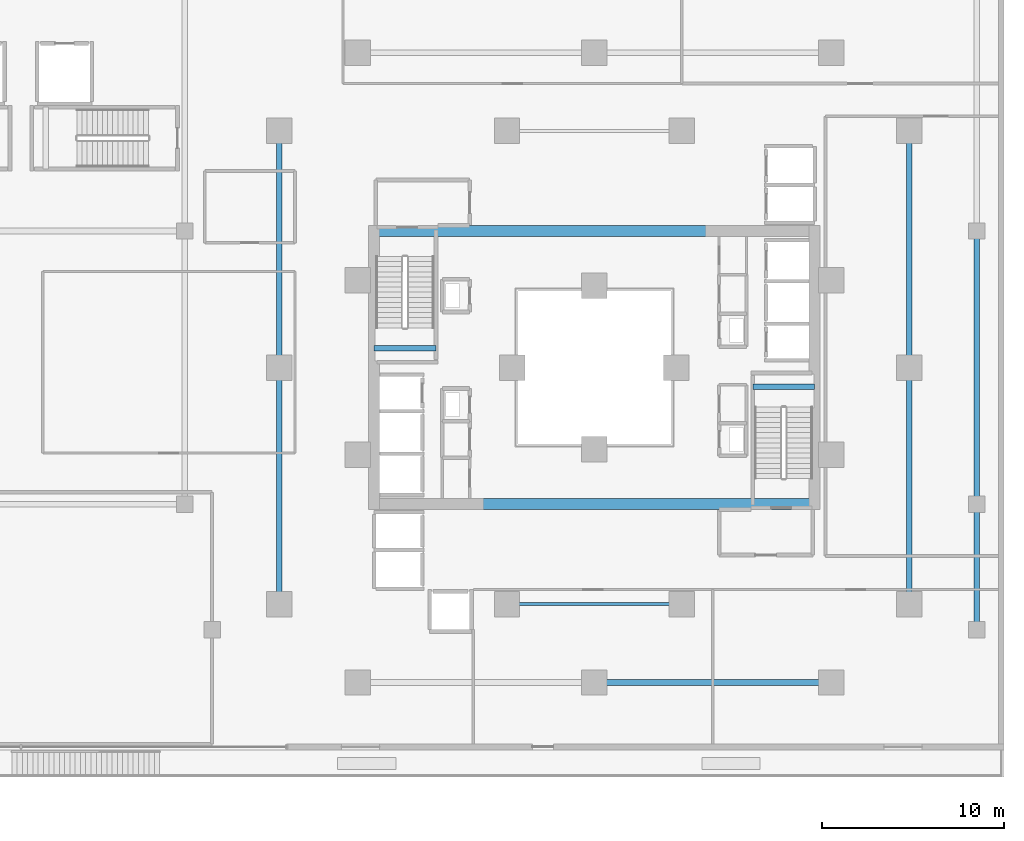
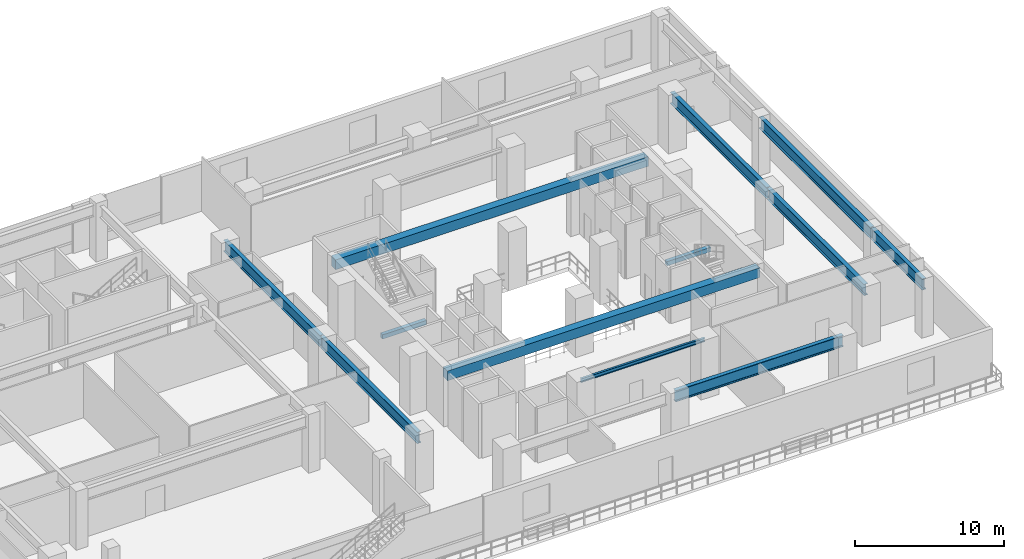
# One storey, part 8 of 22: 12 beams.
"""IFC4 building model written with IfcOpenShell, lengths in metres."""

from ifc_helpers import new_model, si_unit, direction, frame, origin, origin_2d, place, context, subcontext, project, spatial, rectangle, i_section, extrude, material, material_profile, profile_set, type_object, element, save


model = new_model("IFC4")

# Units and contexts
model_context = context("Model", 3, precision=1e-05, world=origin(), true_north=direction((0.0, 1.0)))
body_context = subcontext(model_context, "Body", "Model", "MODEL_VIEW")
ifc_project = project(units=[si_unit("LENGTHUNIT", "METRE"), si_unit("AREAUNIT", "SQUARE_METRE"), si_unit("VOLUMEUNIT", "CUBIC_METRE"), si_unit("PLANEANGLEUNIT", "RADIAN"), si_unit("MASSUNIT", "GRAM", prefix="KILO")], contexts=[model_context])

# Site, building, storey
site_placement = place(None, origin())
site = spatial("IfcSite", under=ifc_project, at=site_placement, CompositionType="ELEMENT")
building_placement = place(site_placement, origin())
building = spatial("IfcBuilding", under=site, at=building_placement, Name="Thornwick Lancets Civic Towers", CompositionType="ELEMENT")
storey_placement = place(building_placement, frame((0.0, 0.0, 4.800048828125)))
storey = spatial("IfcBuildingStorey", under=building, at=storey_placement, Name="L01", CompositionType="ELEMENT", Elevation=4.800048828125)

# Beams
ifc_material_1 = material(Name="Concrete C60/75", Category="concrete")
ifc_material_profile_1 = material_profile(ifc_material_1, rectangle(XDim=0.60009765625, YDim=0.800048828125, at=origin_2d()), Name="RC 600x800")
ifc_profile_set_1 = profile_set([ifc_material_profile_1], Name="Concrete C60/75")
beam_type_1 = type_object("IfcBeamType", Name="BM_COUP_RC800", PredefinedType="BEAM", material=ifc_profile_set_1)
for number, where, z_axis, x_axis, name in (
    (1, (76.39990234375, 34.5, 4.079833984375), (1.0, 0.0, 0.0), (0.0, 1.0, 0.0), "CB-L01-B1"),
    (2, (76.39990234375, 19.5, 4.079833984375), (1.0, 0.0, 0.0), (0.0, 1.0, 0.0), "CB-L01-B2"),
):
    element("IfcBeam", number, at=place(storey_placement, frame(where, z_axis=z_axis, x_axis=x_axis)), inside=storey, type_object=beam_type_1, Name=name, PredefinedType="BEAM", context=body_context, shape_type="SweptSolid", body=[
        extrude(rectangle(XDim=0.60009765625, YDim=0.800048828125, at=origin_2d()), origin(), (0.0, 0.0, 1.0), 24.2001953125),
    ])
ifc_material_2 = material(Name="Steel S355JR", Category="steel")
ifc_material_profile_2 = material_profile(ifc_material_2, i_section(OverallWidth=0.1669921875, OverallDepth=0.310302734375, WebThickness=0.0078125, FlangeThickness=0.013671875, FilletRadius=0.0087890625, at=origin_2d()), Name="UKB 305x165x54")
ifc_profile_set_2 = profile_set([ifc_material_profile_2], Name="Steel S355JR")
beam_type_2 = type_object("IfcBeamType", Name="BM_LINTEL_305_54", PredefinedType="LINTEL", material=ifc_profile_set_2)
beam_1_placement = place(storey_placement, frame((93.300048828125, 14.0, 4.32470703125), z_axis=(-1.0, 0.0, 0.0), x_axis=(0.0, -1.0, 0.0)))
element("IfcBeam", 3, at=beam_1_placement, inside=storey, type_object=beam_type_2, Name="BM-INSP-L01-B-0-2", PredefinedType="LINTEL", context=body_context, shape_type="SweptSolid", body=[
    extrude(i_section(OverallWidth=0.1669921875, OverallDepth=0.310302734375, WebThickness=0.0078125, FlangeThickness=0.013671875, FilletRadius=0.0087890625, at=origin_2d()), origin(), (0.0, 0.0, 1.0), 9.60009765625),
])
ifc_material_profile_3 = material_profile(ifc_material_2, i_section(OverallWidth=0.3076171875, OverallDepth=0.926513671875, WebThickness=0.01953125, FlangeThickness=0.031982421875, FilletRadius=0.01904296875, at=origin_2d()), Name="UKB 914x305x289")
ifc_profile_set_3 = profile_set([ifc_material_profile_3], Name="Steel S355JR")
beam_type_3 = type_object("IfcBeamType", Name="BM_POD_914_289", PredefinedType="BEAM", material=ifc_profile_set_3)
beam_2_placement = place(storey_placement, frame((105.800048828125, 14.0, 4.0166015625), z_axis=(0.0, 1.0, 0.0), x_axis=(-1.0, 0.0, 0.0)))
element("IfcBeam", 4, at=beam_2_placement, inside=storey, type_object=beam_type_3, Name="BM-SPINE-L01-B-0-1", PredefinedType="BEAM", context=body_context, shape_type="SweptSolid", body=[
    extrude(i_section(OverallWidth=0.3076171875, OverallDepth=0.926513671875, WebThickness=0.01953125, FlangeThickness=0.031982421875, FilletRadius=0.01904296875, at=origin_2d()), origin(), (0.0, 0.0, 1.0), 13.0),
])
beam_3_placement = place(storey_placement, frame((105.800048828125, 27.080078125, 4.0166015625), z_axis=(0.0, 1.0, 0.0), x_axis=(-1.0, 0.0, 0.0)))
element("IfcBeam", 5, at=beam_3_placement, inside=storey, type_object=beam_type_3, Name="BM-SPINE-L01-B-1-2", PredefinedType="BEAM", context=body_context, shape_type="SweptSolid", body=[
    extrude(i_section(OverallWidth=0.3076171875, OverallDepth=0.926513671875, WebThickness=0.01953125, FlangeThickness=0.031982421875, FilletRadius=0.01904296875, at=origin_2d()), origin(), (0.0, 0.0, 1.0), 12.919921875),
])
beam_4_placement = place(storey_placement, frame((71.199951171875, 14.0, 4.0166015625), z_axis=(0.0, 1.0, 0.0), x_axis=(-1.0, 0.0, 0.0)))
element("IfcBeam", 6, at=beam_4_placement, inside=storey, type_object=beam_type_3, Name="BM-SPINE-L01-B-6-7", PredefinedType="BEAM", context=body_context, shape_type="SweptSolid", body=[
    extrude(i_section(OverallWidth=0.3076171875, OverallDepth=0.926513671875, WebThickness=0.01953125, FlangeThickness=0.031982421875, FilletRadius=0.01904296875, at=origin_2d()), origin(), (0.0, 0.0, 1.0), 13.0),
])
beam_5_placement = place(storey_placement, frame((71.199951171875, 27.080078125, 4.0166015625), z_axis=(0.0, 1.0, 0.0), x_axis=(-1.0, 0.0, 0.0)))
element("IfcBeam", 7, at=beam_5_placement, inside=storey, type_object=beam_type_3, Name="BM-SPINE-L01-B-7-8", PredefinedType="BEAM", context=body_context, shape_type="SweptSolid", body=[
    extrude(i_section(OverallWidth=0.3076171875, OverallDepth=0.926513671875, WebThickness=0.01953125, FlangeThickness=0.031982421875, FilletRadius=0.01904296875, at=origin_2d()), origin(), (0.0, 0.0, 1.0), 12.919921875),
])
beam_6_placement = place(storey_placement, frame((101.5, 9.699951171875, 4.0166015625), z_axis=(-1.0, 0.0, 0.0), x_axis=(0.0, -1.0, 0.0)))
element("IfcBeam", 8, at=beam_6_placement, inside=storey, type_object=beam_type_3, Name="BM-SPINE-L01-B-9-10", PredefinedType="BEAM", context=body_context, shape_type="SweptSolid", body=[
    extrude(i_section(OverallWidth=0.3076171875, OverallDepth=0.926513671875, WebThickness=0.01953125, FlangeThickness=0.031982421875, FilletRadius=0.01904296875, at=origin_2d()), origin(), (0.0, 0.0, 1.0), 13.0),
])
beam_7_placement = place(storey_placement, frame((109.5, 12.60009765625, 4.0166015625), z_axis=(0.0, 1.0, 0.0), x_axis=(-1.0, 0.0, 0.0)))
element("IfcBeam", 9, at=beam_7_placement, inside=storey, type_object=beam_type_3, Name="BM-PODG-L01-3-14", PredefinedType="BEAM", context=body_context, shape_type="SweptSolid", body=[
    extrude(i_section(OverallWidth=0.3076171875, OverallDepth=0.926513671875, WebThickness=0.01953125, FlangeThickness=0.031982421875, FilletRadius=0.01904296875, at=origin_2d()), origin(), (0.0, 0.0, 1.0), 6.89990234375),
])
beam_8_placement = place(storey_placement, frame((109.5, 19.580078125, 4.0166015625), z_axis=(0.0, 1.0, 0.0), x_axis=(-1.0, 0.0, 0.0)))
element("IfcBeam", 10, at=beam_8_placement, inside=storey, type_object=beam_type_3, Name="BM-PODG-L01-14-15", PredefinedType="BEAM", context=body_context, shape_type="SweptSolid", body=[
    extrude(i_section(OverallWidth=0.3076171875, OverallDepth=0.926513671875, WebThickness=0.01953125, FlangeThickness=0.031982421875, FilletRadius=0.01904296875, at=origin_2d()), origin(), (0.0, 0.0, 1.0), 14.919921875),
])
ifc_material_3 = material(Name="Concrete C40/50", Category="concrete")
ifc_material_profile_4 = material_profile(ifc_material_3, rectangle(XDim=0.300048828125, YDim=0.35009765625, at=origin_2d()), Name="RC 300x350")
ifc_profile_set_4 = profile_set([ifc_material_profile_4], Name="Concrete C40/50")
beam_type_4 = type_object("IfcBeamType", Name="BM_STAIR_LDG", PredefinedType="BEAM", material=ifc_profile_set_4)
for number, where, z_axis, x_axis, name in (
    (11, (100.60009765625, 25.93505859375, 1.97802734375), (-1.0, 0.0, 0.0), (0.0, -1.0, 0.0), "L01 ST-B1 Landing Support Beam 1"),
    (12, (76.39990234375, 28.06494140625, 1.97802734375), (1.0, 0.0, 0.0), (0.0, 1.0, 0.0), "L01 ST-B2 Landing Support Beam 1"),
):
    element("IfcBeam", number, at=place(storey_placement, frame(where, z_axis=z_axis, x_axis=x_axis)), inside=storey, type_object=beam_type_4, Name=name, PredefinedType="BEAM", context=body_context, shape_type="SweptSolid", body=[
        extrude(rectangle(XDim=0.300048828125, YDim=0.35009765625, at=origin_2d()), origin(), (0.0, 0.0, 1.0), 3.400146484375),
    ])

save(model, "model.ifc")
